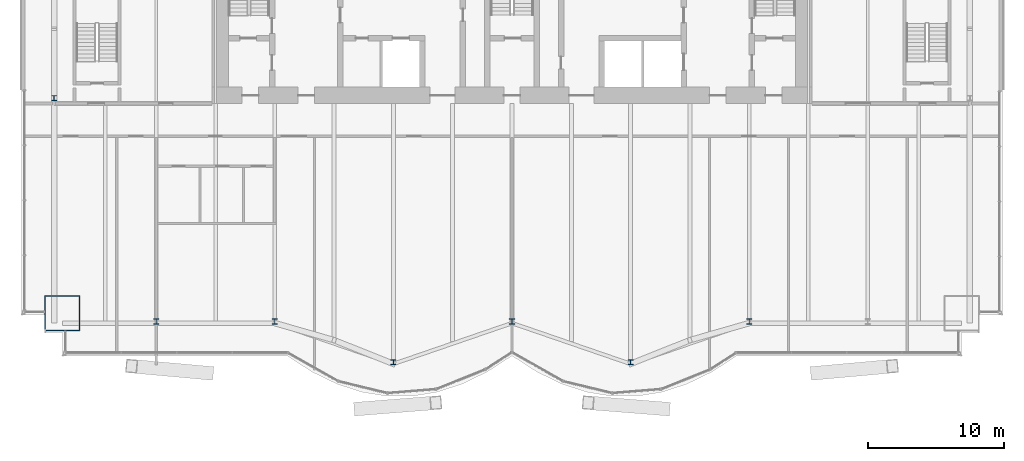
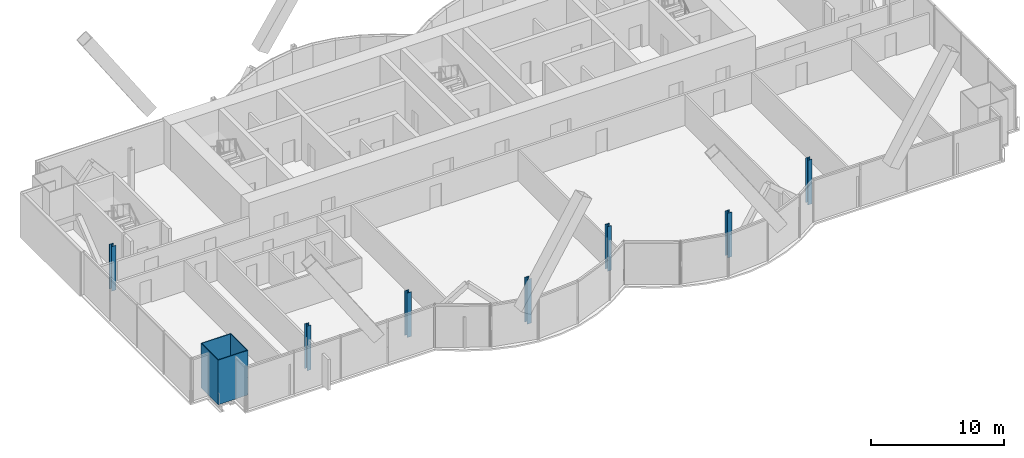
# One storey, part 1 of 20: 8 columns.
"""IFC4 building model written with IfcOpenShell, lengths in metres."""

from ifc_helpers import new_model, si_unit, direction, frame, origin, origin_2d, place, context, subcontext, project, spatial, hollow_rectangle, i_section, extrude, material, material_profile, profile_set, type_object, element, save


model = new_model("IFC4")

# Units and contexts
model_context = context("Model", 3, precision=1e-05, world=origin(), true_north=direction((0.0, 1.0)))
body_context = subcontext(model_context, "Body", "Model", "MODEL_VIEW")
ifc_project = project(units=[si_unit("LENGTHUNIT", "METRE"), si_unit("AREAUNIT", "SQUARE_METRE"), si_unit("VOLUMEUNIT", "CUBIC_METRE"), si_unit("PLANEANGLEUNIT", "RADIAN"), si_unit("MASSUNIT", "GRAM", prefix="KILO")], contexts=[model_context])

# Site, building, storey
site_placement = place(None, origin())
site = spatial("IfcSite", under=ifc_project, at=site_placement, CompositionType="ELEMENT")
building_placement = place(site_placement, origin())
building = spatial("IfcBuilding", under=site, at=building_placement, Name="Bicima Exchange Tower", CompositionType="ELEMENT")
storey_placement = place(building_placement, frame((0.0, 0.0, 219.60009765625)))
storey = spatial("IfcBuildingStorey", under=building, at=storey_placement, Name="L49", CompositionType="ELEMENT", Elevation=219.60009765625)

# Columns
ifc_material_1 = material(Name="Steel ASTM A572 Gr 50", Category="steel")
ifc_material_profile_1 = material_profile(ifc_material_1, hollow_rectangle(XDim=2.60009765625, YDim=2.60009765625, WallThickness=0.070068359375, at=origin_2d()))
ifc_profile_set_1 = profile_set([ifc_material_profile_1], Name="Steel ASTM A572 Gr 50")
column_type_1 = type_object("IfcColumnType", Name="Mega column BOX 2600x2600x70", PredefinedType="COLUMN", material=ifc_profile_set_1)
column_placement = place(storey_placement, frame((-33.0, -28.385986328125, 0.0), z_axis=(0.0, 0.0, 1.0), x_axis=(1.0, 0.0, 0.0)))
element("IfcColumn", 1, at=column_placement, inside=storey, type_object=column_type_1, Name="Mega column mega-33.0f", PredefinedType="COLUMN", context=body_context, shape_type="SweptSolid", body=[
    extrude(hollow_rectangle(XDim=2.60009765625, YDim=2.60009765625, WallThickness=0.070068359375, at=origin_2d()), origin(), (0.0, 0.0, 1.0), 4.099853515625),
])
ifc_material_2 = material(Name="Steel ASTM A992 Gr 50", Category="steel")
ifc_material_profile_2 = material_profile(ifc_material_2, i_section(OverallWidth=0.373291015625, OverallDepth=0.373291015625, WebThickness=0.016357421875, FlangeThickness=0.026123046875, at=origin_2d()))
ifc_profile_set_2 = profile_set([ifc_material_profile_2], Name="Steel ASTM A992 Gr 50")
column_type_2 = type_object("IfcColumnType", Name="Perimeter column W14x132", PredefinedType="COLUMN", material=ifc_profile_set_2)
for number, where, z_axis, x_axis, name in (
    (2, (-26.10009765625, -28.986083984375, 0.0), (0.0, 0.0, 1.0), (1.0, 0.0, 0.0), "Perimeter column grav-26.1f"),
    (3, (-17.39990234375, -28.986083984375, 0.0), (0.0, 0.0, 1.0), (1.0, 0.0, 0.0), "Perimeter column grav-17.4f"),
    (4, (-8.699951171875, -31.97705078125, 0.0), (0.0, 0.0, 1.0), (1.0, 0.0, 0.0), "Perimeter column grav-8.7f"),
    (5, (0.0, -28.986083984375, 0.0), (0.0, 0.0, 1.0), (1.0, 0.0, 0.0), "Perimeter column grav-0.0f"),
    (6, (8.699951171875, -31.97705078125, 0.0), (0.0, 0.0, 1.0), (1.0, 0.0, 0.0), "Perimeter column grav+8.7f"),
    (7, (17.39990234375, -28.986083984375, 0.0), (0.0, 0.0, 1.0), (1.0, 0.0, 0.0), "Perimeter column grav+17.4f"),
    (8, (-33.60009765625, -12.60009765625, 0.0), (0.0, 0.0, 1.0), (1.0, 0.0, 0.0), "End column end-33.6e"),
):
    element("IfcColumn", number, at=place(storey_placement, frame(where, z_axis=z_axis, x_axis=x_axis)), inside=storey, type_object=column_type_2, Name=name, PredefinedType="COLUMN", context=body_context, shape_type="SweptSolid", body=[
        extrude(i_section(OverallWidth=0.373291015625, OverallDepth=0.373291015625, WebThickness=0.016357421875, FlangeThickness=0.026123046875, at=origin_2d()), origin(), (0.0, 0.0, 1.0), 4.099853515625),
    ])

save(model, "model.ifc")
